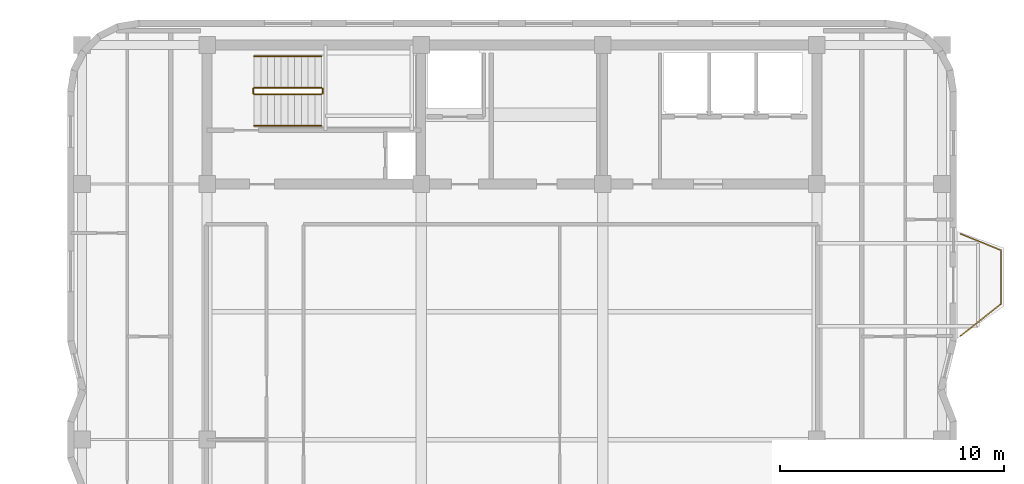
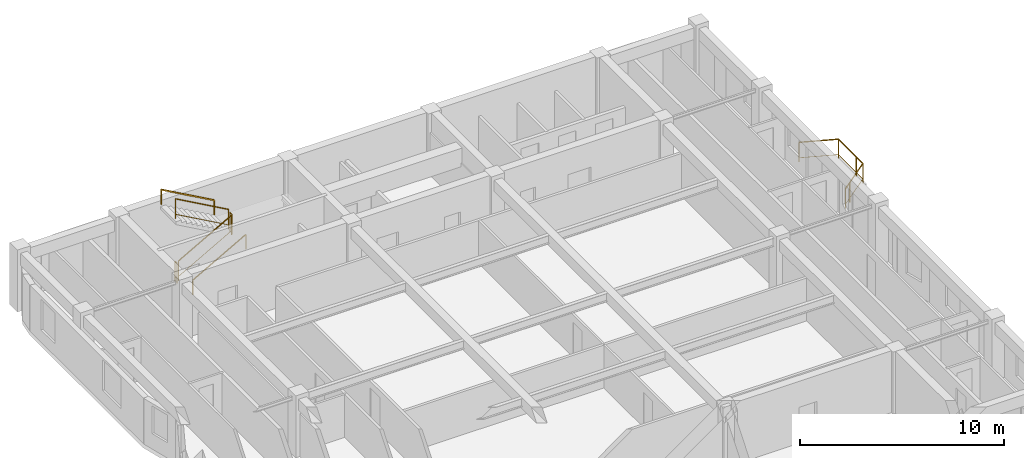
# One storey, part 8 of 8: 7 railings.
"""IFC4 building model written with IfcOpenShell, lengths in metres."""

from ifc_helpers import new_model, si_unit, direction, frame, origin, origin_2d, place, context, subcontext, project, spatial, rectangle, extrude, material, type_object, element, save


model = new_model("IFC4")

# Units and contexts
model_context = context("Model", 3, precision=1e-05, world=origin(), true_north=direction((0.0, 1.0)))
body_context = subcontext(model_context, "Body", "Model", "MODEL_VIEW")
ifc_project = project(units=[si_unit("LENGTHUNIT", "METRE"), si_unit("AREAUNIT", "SQUARE_METRE"), si_unit("VOLUMEUNIT", "CUBIC_METRE"), si_unit("PLANEANGLEUNIT", "RADIAN"), si_unit("MASSUNIT", "GRAM", prefix="KILO")], contexts=[model_context])

# Site, building, storey
site_placement = place(None, origin())
site = spatial("IfcSite", under=ifc_project, at=site_placement, CompositionType="ELEMENT")
building_placement = place(site_placement, origin())
building = spatial("IfcBuilding", under=site, at=building_placement, Name="Svetorya Sky Lyceum", CompositionType="ELEMENT")
storey_placement = place(building_placement, frame((0.0, 0.0, 263.89990234375)))
storey = spatial("IfcBuildingStorey", under=building, at=storey_placement, Name="L66", CompositionType="ELEMENT", Elevation=263.89990234375)

# Railings
ifc_material_1 = material(Name="Laminated safety glass and stainless AISI 316", Category="glass")
railing_type_1 = type_object("IfcRailingType", Name="RL-BAL-1200", PredefinedType="BALUSTRADE", material=ifc_material_1)
railing_1_placement = place(storey_placement, frame((59.2099609375, 37.3798828125, 0.0)))
element("IfcRailing", 1, at=railing_1_placement, inside=storey, type_object=railing_type_1, Name="L66 Balcony Balustrade BAL-E1", PredefinedType="BALUSTRADE", context=body_context, shape_type="SweptSolid", body=[
    extrude(rectangle(XDim=0.048095703125, YDim=0.048095703125, at=origin_2d()), frame((0.0, 0.0, 1.17578125), z_axis=(0.926697865975, -0.375807218129, 0.0), x_axis=(0.375807218129, 0.926697865975, 0.0)), (0.0, 0.0, 1.0), 1.9423828125),
    extrude(rectangle(XDim=0.02392578125, YDim=0.02392578125, at=origin_2d()), frame((0.0, 0.0, 0.25), z_axis=(0.926697865975, -0.375807218129, 0.0), x_axis=(0.375807218129, 0.926697865975, 0.0)), (0.0, 0.0, 1.0), 1.9423828125),
    extrude(rectangle(XDim=0.048095703125, YDim=0.048095703125, at=origin_2d()), frame((1.800048828125, -0.72998046875, 1.17578125), z_axis=(0.0, -1.0, 0.0), x_axis=(1.0, 0.0, 0.0)), (0.0, 0.0, 1.0), 2.39990234375),
    extrude(rectangle(XDim=0.02392578125, YDim=0.02392578125, at=origin_2d()), frame((1.800048828125, -0.72998046875, 0.25), z_axis=(0.0, -1.0, 0.0), x_axis=(1.0, 0.0, 0.0)), (0.0, 0.0, 1.0), 2.39990234375),
    extrude(rectangle(XDim=0.048095703125, YDim=0.048095703125, at=origin_2d()), frame((1.800048828125, -3.1298828125, 1.17578125), z_axis=(-0.783008919264, -0.622010476079, 0.0), x_axis=(0.622010476079, -0.783008919264, 0.0)), (0.0, 0.0, 1.0), 2.298828125),
    extrude(rectangle(XDim=0.02392578125, YDim=0.02392578125, at=origin_2d()), frame((1.800048828125, -3.1298828125, 0.25), z_axis=(-0.783008919264, -0.622010476079, 0.0), x_axis=(0.622010476079, -0.783008919264, 0.0)), (0.0, 0.0, 1.0), 2.298828125),
    extrude(rectangle(XDim=0.0419921875, YDim=0.0419921875, at=origin_2d()), origin(), (0.0, 0.0, 1.0), 1.15185546875),
    extrude(rectangle(XDim=0.0419921875, YDim=0.0419921875, at=origin_2d()), frame((1.800048828125, -0.72998046875, 0.0)), (0.0, 0.0, 1.0), 1.15185546875),
    extrude(rectangle(XDim=0.0419921875, YDim=0.0419921875, at=origin_2d()), frame((1.800048828125, -2.47998046875, 0.0)), (0.0, 0.0, 1.0), 1.15185546875),
    extrude(rectangle(XDim=0.0419921875, YDim=0.0419921875, at=origin_2d()), frame((1.800048828125, -3.1298828125, 0.0)), (0.0, 0.0, 1.0), 1.15185546875),
    extrude(rectangle(XDim=0.0419921875, YDim=0.0419921875, at=origin_2d()), frame((0.4296875, -4.218505859375, 0.0)), (0.0, 0.0, 1.0), 1.15185546875),
    extrude(rectangle(XDim=0.0419921875, YDim=0.0419921875, at=origin_2d()), frame((0.0, -4.559814453125, 0.0)), (0.0, 0.0, 1.0), 1.15185546875),
])
ifc_material_2 = material(Name="Painted galvanized stair well guard")
railing_type_2 = type_object("IfcRailingType", Name="RL-STR-GUARD-1200", PredefinedType="GUARDRAIL", material=ifc_material_2)
railing_2_placement = place(storey_placement, frame((27.699951171875, 43.60009765625, 0.168212890625)))
element("IfcRailing", 2, at=railing_2_placement, inside=storey, type_object=railing_type_2, Name="L66 ST-N stair guard 1", PredefinedType="GUARDRAIL", context=body_context, shape_type="SweptSolid", body=[
    extrude(rectangle(XDim=0.048095703125, YDim=0.048095703125, at=origin_2d()), frame((0.0, 0.0, 1.17578125), z_axis=(0.872272294576, 0.0, 0.489020494575), x_axis=(0.0, 1.0, 0.0)), (0.0, 0.0, 1.0), 3.439208984375),
    extrude(rectangle(XDim=0.02392578125, YDim=0.02392578125, at=origin_2d()), frame((0.0, 0.0, 0.25), z_axis=(0.872272294576, 0.0, 0.489020494575), x_axis=(0.0, 1.0, 0.0)), (0.0, 0.0, 1.0), 3.439208984375),
    extrude(rectangle(XDim=0.0419921875, YDim=0.0419921875, at=origin_2d()), origin(), (0.0, 0.0, 1.0), 1.15185546875),
    extrude(rectangle(XDim=0.0419921875, YDim=0.0419921875, at=origin_2d()), frame((3.0, 0.0, 1.681884765625)), (0.0, 0.0, 1.0), 1.15185546875),
])
railing_3_placement = place(storey_placement, frame((30.75, 43.64990234375, 1.85009765625)))
element("IfcRailing", 3, at=railing_3_placement, inside=storey, type_object=railing_type_2, Name="L66 ST-N stair guard 2", PredefinedType="GUARDRAIL", context=body_context, shape_type="SweptSolid", body=[
    extrude(rectangle(XDim=0.048095703125, YDim=0.048095703125, at=origin_2d()), frame((0.0, 0.0, 1.17578125), z_axis=(0.0, 1.0, 0.0), x_axis=(-1.0, 0.0, 0.0)), (0.0, 0.0, 1.0), 0.2001953125),
    extrude(rectangle(XDim=0.02392578125, YDim=0.02392578125, at=origin_2d()), frame((0.0, 0.0, 0.25), z_axis=(0.0, 1.0, 0.0), x_axis=(-1.0, 0.0, 0.0)), (0.0, 0.0, 1.0), 0.2001953125),
    extrude(rectangle(XDim=0.0419921875, YDim=0.0419921875, at=origin_2d()), origin(), (0.0, 0.0, 1.0), 1.15185546875),
    extrude(rectangle(XDim=0.0419921875, YDim=0.0419921875, at=origin_2d()), frame((0.0, 0.2001953125, 0.0)), (0.0, 0.0, 1.0), 1.15185546875),
])
railing_4_placement = place(storey_placement, frame((30.699951171875, 43.89990234375, 2.018310546875)))
element("IfcRailing", 4, at=railing_4_placement, inside=storey, type_object=railing_type_2, Name="L66 ST-N stair guard 3", PredefinedType="GUARDRAIL", context=body_context, shape_type="SweptSolid", body=[
    extrude(rectangle(XDim=0.048095703125, YDim=0.048095703125, at=origin_2d()), frame((0.0, 0.0, 1.17578125), z_axis=(-0.872272294576, 0.0, 0.489020494575), x_axis=(0.0, -1.0, 0.0)), (0.0, 0.0, 1.0), 3.439208984375),
    extrude(rectangle(XDim=0.02392578125, YDim=0.02392578125, at=origin_2d()), frame((0.0, 0.0, 0.25), z_axis=(-0.872272294576, 0.0, 0.489020494575), x_axis=(0.0, -1.0, 0.0)), (0.0, 0.0, 1.0), 3.439208984375),
    extrude(rectangle(XDim=0.0419921875, YDim=0.0419921875, at=origin_2d()), origin(), (0.0, 0.0, 1.0), 1.15185546875),
    extrude(rectangle(XDim=0.0419921875, YDim=0.0419921875, at=origin_2d()), frame((-3.0, 0.0, 1.681884765625)), (0.0, 0.0, 1.0), 1.15185546875),
])
railing_5_placement = place(storey_placement, frame((27.64990234375, 43.64990234375, 0.0)))
element("IfcRailing", 5, at=railing_5_placement, inside=storey, type_object=railing_type_2, Name="L66 ST-N stair guard 4", PredefinedType="GUARDRAIL", context=body_context, shape_type="SweptSolid", body=[
    extrude(rectangle(XDim=0.048095703125, YDim=0.048095703125, at=origin_2d()), frame((0.0, 0.0, 1.17578125), z_axis=(0.0, 1.0, 0.0), x_axis=(-1.0, 0.0, 0.0)), (0.0, 0.0, 1.0), 0.2001953125),
    extrude(rectangle(XDim=0.02392578125, YDim=0.02392578125, at=origin_2d()), frame((0.0, 0.0, 0.25), z_axis=(0.0, 1.0, 0.0), x_axis=(-1.0, 0.0, 0.0)), (0.0, 0.0, 1.0), 0.2001953125),
    extrude(rectangle(XDim=0.0419921875, YDim=0.0419921875, at=origin_2d()), origin(), (0.0, 0.0, 1.0), 1.15185546875),
    extrude(rectangle(XDim=0.0419921875, YDim=0.0419921875, at=origin_2d()), frame((0.0, 0.2001953125, 0.0)), (0.0, 0.0, 1.0), 1.15185546875),
])
ifc_material_3 = material(Name="Brushed stainless AISI 304 stair handrail")
railing_type_3 = type_object("IfcRailingType", Name="RL-STR-HAND-920", PredefinedType="HANDRAIL", material=ifc_material_3)
railing_6_placement = place(storey_placement, frame((27.699951171875, 42.199951171875, 0.168212890625)))
element("IfcRailing", 6, at=railing_6_placement, inside=storey, type_object=railing_type_3, Name="L66 ST-N stair handrail 1", PredefinedType="HANDRAIL", context=body_context, shape_type="SweptSolid", body=[
    extrude(rectangle(XDim=0.048095703125, YDim=0.048095703125, at=origin_2d()), frame((0.0, 0.0, 0.8759765625), z_axis=(0.872272294576, 0.0, 0.489020494575), x_axis=(0.0, 1.0, 0.0)), (0.0, 0.0, 1.0), 3.439208984375),
    extrude(rectangle(XDim=0.0419921875, YDim=0.0419921875, at=origin_2d()), origin(), (0.0, 0.0, 1.0), 0.851806640625),
    extrude(rectangle(XDim=0.0419921875, YDim=0.0419921875, at=origin_2d()), frame((3.0, 0.0, 1.681884765625)), (0.0, 0.0, 1.0), 0.851806640625),
])
railing_7_placement = place(storey_placement, frame((30.699951171875, 45.300048828125, 2.018310546875)))
element("IfcRailing", 7, at=railing_7_placement, inside=storey, type_object=railing_type_3, Name="L66 ST-N stair handrail 2", PredefinedType="HANDRAIL", context=body_context, shape_type="SweptSolid", body=[
    extrude(rectangle(XDim=0.048095703125, YDim=0.048095703125, at=origin_2d()), frame((0.0, 0.0, 0.8759765625), z_axis=(-0.872272294576, 0.0, 0.489020494575), x_axis=(0.0, -1.0, 0.0)), (0.0, 0.0, 1.0), 3.439208984375),
    extrude(rectangle(XDim=0.0419921875, YDim=0.0419921875, at=origin_2d()), origin(), (0.0, 0.0, 1.0), 0.851806640625),
    extrude(rectangle(XDim=0.0419921875, YDim=0.0419921875, at=origin_2d()), frame((-3.0, 0.0, 1.681884765625)), (0.0, 0.0, 1.0), 0.851806640625),
])

save(model, "model.ifc")
